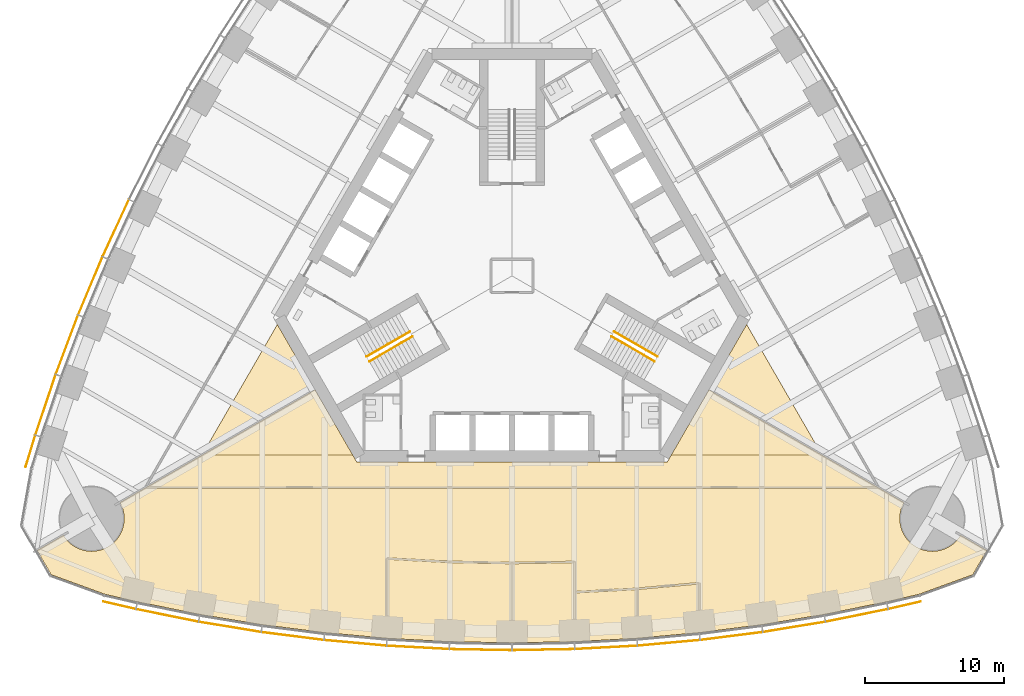
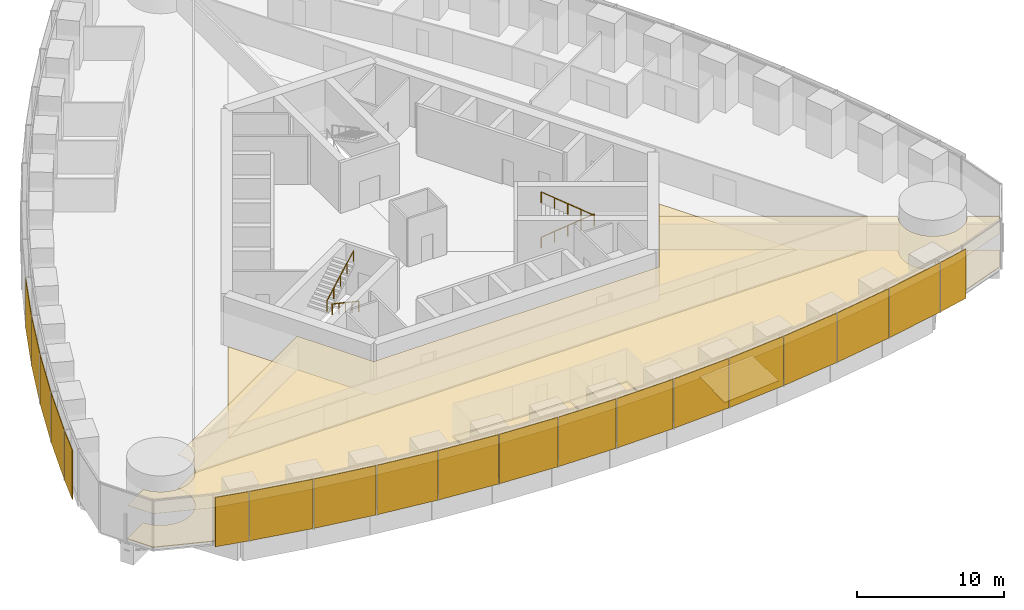
# One storey, part 14 of 18: 19 shading devices, 11 coverings, 4 railings.
"""IFC4 building model written with IfcOpenShell, lengths in metres."""

from ifc_helpers import new_model, si_unit, direction, frame, origin, origin_2d, place, context, subcontext, project, spatial, polyline, rectangle, circle, outline, extrude, material, layer, layer_set, type_object, element, save


model = new_model("IFC4")

# Units and contexts
model_context = context("Model", 3, precision=1e-05, world=origin(), true_north=direction((0.0, 1.0)))
body_context = subcontext(model_context, "Body", "Model", "MODEL_VIEW")
ifc_project = project(units=[si_unit("LENGTHUNIT", "METRE"), si_unit("AREAUNIT", "SQUARE_METRE"), si_unit("VOLUMEUNIT", "CUBIC_METRE"), si_unit("PLANEANGLEUNIT", "RADIAN"), si_unit("MASSUNIT", "GRAM", prefix="KILO")], contexts=[model_context])

# Site, building, storey
site_placement = place(None, origin())
site = spatial("IfcSite", under=ifc_project, at=site_placement, CompositionType="ELEMENT")
building_placement = place(site_placement, origin())
building = spatial("IfcBuilding", under=site, at=building_placement, Name="Trefoil Bronze Tower", CompositionType="ELEMENT")
storey_placement = place(building_placement, frame((0.0, 0.0, 115.699951171875)))
storey = spatial("IfcBuildingStorey", under=building, at=storey_placement, Name="L26", CompositionType="ELEMENT", Elevation=115.699951171875)

# Shading devices
ifc_material_1 = material(Name="Perforated bronze sheet", Category="bronze")
ifc_layer_1 = layer(ifc_material_1, 0.0400390625)
ifc_layer_set_1 = layer_set([ifc_layer_1], Name="Bronze solar screen panel")
shading_device_type = type_object("IfcShadingDeviceType", Name="Bronze solar screen panel", PredefinedType="SHUTTER", material=ifc_layer_set_1)
shading_device_1_placement = place(storey_placement, frame((-28.30078125, -23.748779296875, 0.050048828125), z_axis=(0.0, 0.0, 1.0), x_axis=(0.97420444715, -0.225667222151, 0.0)))
element("IfcShadingDevice", 1, at=shading_device_1_placement, inside=storey, type_object=shading_device_type, Name="Solar screen CW-A L26 F1 bay 1", PredefinedType="SHUTTER", context=body_context, shape_type="SweptSolid", body=[
    extrude(rectangle(XDim=2.39013671875, YDim=0.0400390625, at=origin_2d()), origin(), (0.0, 0.0, 1.0), 4.10009765625),
])
shading_device_2_placement = place(storey_placement, frame((-24.85693359375, -24.480224609375, 0.050048828125), z_axis=(0.0, 0.0, 1.0), x_axis=(0.980155155547, -0.198231861853, 0.0)))
element("IfcShadingDevice", 2, at=shading_device_2_placement, inside=storey, type_object=shading_device_type, Name="Solar screen CW-A L26 F1 bay 2", PredefinedType="SHUTTER", context=body_context, shape_type="SweptSolid", body=[
    extrude(rectangle(XDim=4.56103515625, YDim=0.0400390625, at=origin_2d()), origin(), (0.0, 0.0, 1.0), 4.10009765625),
])
shading_device_3_placement = place(storey_placement, frame((-20.337646484375, -25.30859375, 0.050048828125), z_axis=(0.0, 0.0, 1.0), x_axis=(0.986759655731, -0.162189339418, 0.0)))
element("IfcShadingDevice", 3, at=shading_device_3_placement, inside=storey, type_object=shading_device_type, Name="Solar screen CW-A L26 F1 bay 3", PredefinedType="SHUTTER", context=body_context, shape_type="SweptSolid", body=[
    extrude(rectangle(XDim=4.5302734375, YDim=0.0400390625, at=origin_2d()), origin(), (0.0, 0.0, 1.0), 4.10009765625),
])
shading_device_4_placement = place(storey_placement, frame((-15.818115234375, -25.96728515625, 0.050048828125), z_axis=(0.0, 0.0, 1.0), x_axis=(0.992011554286, -0.126147041833, 0.0)))
element("IfcShadingDevice", 4, at=shading_device_4_placement, inside=storey, type_object=shading_device_type, Name="Solar screen CW-A L26 F1 bay 4", PredefinedType="SHUTTER", context=body_context, shape_type="SweptSolid", body=[
    extrude(rectangle(XDim=4.50634765625, YDim=0.0400390625, at=origin_2d()), origin(), (0.0, 0.0, 1.0), 4.10009765625),
])
shading_device_5_placement = place(storey_placement, frame((-11.298583984375, -26.459228515625, 0.050048828125), z_axis=(0.0, 0.0, 1.0), x_axis=(0.995932279146, -0.090104913044, 0.0)))
element("IfcShadingDevice", 5, at=shading_device_5_placement, inside=storey, type_object=shading_device_type, Name="Solar screen CW-A L26 F1 bay 5", PredefinedType="SHUTTER", context=body_context, shape_type="SweptSolid", body=[
    extrude(rectangle(XDim=4.48828125, YDim=0.0400390625, at=origin_2d()), origin(), (0.0, 0.0, 1.0), 4.10009765625),
])
shading_device_6_placement = place(storey_placement, frame((-6.779296875, -26.785888671875, 0.050048828125), z_axis=(0.0, 0.0, 1.0), x_axis=(0.998537531923, -0.054062901701, 0.0)))
element("IfcShadingDevice", 6, at=shading_device_6_placement, inside=storey, type_object=shading_device_type, Name="Solar screen CW-A L26 F1 bay 6", PredefinedType="SHUTTER", context=body_context, shape_type="SweptSolid", body=[
    extrude(rectangle(XDim=4.4765625, YDim=0.0400390625, at=origin_2d()), origin(), (0.0, 0.0, 1.0), 4.10009765625),
])
for number, where, z_axis, x_axis, name in (
    (7, (-2.259765625, -26.948974609375, 0.050048828125), (0.0, 0.0, 1.0), (0.999837609322, -0.018020959612, 0.0), "Solar screen CW-A L26 F1 bay 7"),
    (8, (2.259765625, -26.948974609375, 0.050048828125), (0.0, 0.0, 1.0), (0.999837609322, 0.018020959612, 0.0), "Solar screen CW-A L26 F1 bay 8"),
):
    element("IfcShadingDevice", number, at=place(storey_placement, frame(where, z_axis=z_axis, x_axis=x_axis)), inside=storey, type_object=shading_device_type, Name=name, PredefinedType="SHUTTER", context=body_context, shape_type="SweptSolid", body=[
        extrude(rectangle(XDim=4.470703125, YDim=0.0400390625, at=origin_2d()), origin(), (0.0, 0.0, 1.0), 4.10009765625),
    ])
shading_device_7_placement = place(storey_placement, frame((6.779296875, -26.785888671875, 0.050048828125), z_axis=(0.0, 0.0, 1.0), x_axis=(0.998537531923, 0.054062901701, 0.0)))
element("IfcShadingDevice", 9, at=shading_device_7_placement, inside=storey, type_object=shading_device_type, Name="Solar screen CW-A L26 F1 bay 9", PredefinedType="SHUTTER", context=body_context, shape_type="SweptSolid", body=[
    extrude(rectangle(XDim=4.4765625, YDim=0.0400390625, at=origin_2d()), origin(), (0.0, 0.0, 1.0), 4.10009765625),
])
shading_device_8_placement = place(storey_placement, frame((11.298583984375, -26.459228515625, 0.050048828125), z_axis=(0.0, 0.0, 1.0), x_axis=(0.995932279146, 0.090104913044, 0.0)))
element("IfcShadingDevice", 10, at=shading_device_8_placement, inside=storey, type_object=shading_device_type, Name="Solar screen CW-A L26 F1 bay 10", PredefinedType="SHUTTER", context=body_context, shape_type="SweptSolid", body=[
    extrude(rectangle(XDim=4.48828125, YDim=0.0400390625, at=origin_2d()), origin(), (0.0, 0.0, 1.0), 4.10009765625),
])
shading_device_9_placement = place(storey_placement, frame((15.818115234375, -25.96728515625, 0.050048828125), z_axis=(0.0, 0.0, 1.0), x_axis=(0.992011554286, 0.126147041833, 0.0)))
element("IfcShadingDevice", 11, at=shading_device_9_placement, inside=storey, type_object=shading_device_type, Name="Solar screen CW-A L26 F1 bay 11", PredefinedType="SHUTTER", context=body_context, shape_type="SweptSolid", body=[
    extrude(rectangle(XDim=4.50634765625, YDim=0.0400390625, at=origin_2d()), origin(), (0.0, 0.0, 1.0), 4.10009765625),
])
shading_device_10_placement = place(storey_placement, frame((20.337646484375, -25.30859375, 0.050048828125), z_axis=(0.0, 0.0, 1.0), x_axis=(0.986759655731, 0.162189339418, 0.0)))
element("IfcShadingDevice", 12, at=shading_device_10_placement, inside=storey, type_object=shading_device_type, Name="Solar screen CW-A L26 F1 bay 12", PredefinedType="SHUTTER", context=body_context, shape_type="SweptSolid", body=[
    extrude(rectangle(XDim=4.5302734375, YDim=0.0400390625, at=origin_2d()), origin(), (0.0, 0.0, 1.0), 4.10009765625),
])
shading_device_11_placement = place(storey_placement, frame((24.85693359375, -24.480224609375, 0.050048828125), z_axis=(0.0, 0.0, 1.0), x_axis=(0.980155155547, 0.198231861853, 0.0)))
element("IfcShadingDevice", 13, at=shading_device_11_placement, inside=storey, type_object=shading_device_type, Name="Solar screen CW-A L26 F1 bay 13", PredefinedType="SHUTTER", context=body_context, shape_type="SweptSolid", body=[
    extrude(rectangle(XDim=4.56103515625, YDim=0.0400390625, at=origin_2d()), origin(), (0.0, 0.0, 1.0), 4.10009765625),
])
shading_device_12_placement = place(storey_placement, frame((28.30078125, -23.748779296875, 0.050048828125), z_axis=(0.0, 0.0, 1.0), x_axis=(0.97420444715, 0.225667222151, 0.0)))
element("IfcShadingDevice", 14, at=shading_device_12_placement, inside=storey, type_object=shading_device_type, Name="Solar screen CW-A L26 F1 bay 14", PredefinedType="SHUTTER", context=body_context, shape_type="SweptSolid", body=[
    extrude(rectangle(XDim=2.39013671875, YDim=0.0400390625, at=origin_2d()), origin(), (0.0, 0.0, 1.0), 4.10009765625),
])
shading_device_13_placement = place(storey_placement, frame((-28.563720703125, 3.444580078125, 0.050048828125), z_axis=(0.0, 0.0, 1.0), x_axis=(-0.419932995871, -0.907555110712, 0.0)))
element("IfcShadingDevice", 15, at=shading_device_13_placement, inside=storey, type_object=shading_device_type, Name="Solar screen CW-A L26 F3 bay 10", PredefinedType="SHUTTER", context=body_context, shape_type="SweptSolid", body=[
    extrude(rectangle(XDim=4.48828125, YDim=0.0400390625, at=origin_2d()), origin(), (0.0, 0.0, 1.0), 4.10009765625),
])
shading_device_14_placement = place(storey_placement, frame((-30.3974609375, -0.715087890625, 0.050048828125), z_axis=(0.0, 0.0, 1.0), x_axis=(-0.386759234303, -0.922180727776, 0.0)))
element("IfcShadingDevice", 16, at=shading_device_14_placement, inside=storey, type_object=shading_device_type, Name="Solar screen CW-A L26 F3 bay 11", PredefinedType="SHUTTER", context=body_context, shape_type="SweptSolid", body=[
    extrude(rectangle(XDim=4.50634765625, YDim=0.0400390625, at=origin_2d()), origin(), (0.0, 0.0, 1.0), 4.10009765625),
])
shading_device_15_placement = place(storey_placement, frame((-32.086669921875, -4.95849609375, 0.050048828125), z_axis=(0.0, 0.0, 1.0), x_axis=(-0.352919739707, -0.935653599002, 0.0)))
element("IfcShadingDevice", 17, at=shading_device_15_placement, inside=storey, type_object=shading_device_type, Name="Solar screen CW-A L26 F3 bay 12", PredefinedType="SHUTTER", context=body_context, shape_type="SweptSolid", body=[
    extrude(rectangle(XDim=4.5302734375, YDim=0.0400390625, at=origin_2d()), origin(), (0.0, 0.0, 1.0), 4.10009765625),
])
shading_device_16_placement = place(storey_placement, frame((-33.62890625, -9.286865234375, 0.050048828125), z_axis=(0.0, 0.0, 1.0), x_axis=(-0.318403749569, -0.947955195281, 0.0)))
element("IfcShadingDevice", 18, at=shading_device_16_placement, inside=storey, type_object=shading_device_type, Name="Solar screen CW-A L26 F3 bay 13", PredefinedType="SHUTTER", context=body_context, shape_type="SweptSolid", body=[
    extrude(rectangle(XDim=4.56103515625, YDim=0.0400390625, at=origin_2d()), origin(), (0.0, 0.0, 1.0), 4.10009765625),
])
shading_device_17_placement = place(storey_placement, frame((-34.717529296875, -12.634765625, 0.050048828125), z_axis=(0.0, 0.0, 1.0), x_axis=(-0.291668676391, -0.956519410787, 0.0)))
element("IfcShadingDevice", 19, at=shading_device_17_placement, inside=storey, type_object=shading_device_type, Name="Solar screen CW-A L26 F3 bay 14", PredefinedType="SHUTTER", context=body_context, shape_type="SweptSolid", body=[
    extrude(rectangle(XDim=2.39013671875, YDim=0.0400390625, at=origin_2d()), origin(), (0.0, 0.0, 1.0), 4.10009765625),
])

# Railings
ifc_material_2 = material(Name="Steel handrail", Category="steel")
railing_type = type_object("IfcRailingType", Name="Handrail 900", PredefinedType="HANDRAIL", material=ifc_material_2)
railing_1_placement = place(storey_placement, frame((7.365966796875, -4.021728515625, 0.16162109375)))
element("IfcRailing", 20, at=railing_1_placement, inside=storey, type_object=railing_type, Name="Handrail ST1 flight 1 L26", PredefinedType="HANDRAIL", context=body_context, shape_type="SweptSolid", body=[
    extrude(circle(Radius=0.02392578125, at=origin_2d()), frame((0.0, 0.0, 0.8759765625), z_axis=(0.76250339821, -0.440245697338, 0.474101564745), x_axis=(0.500012057535, 0.866018442252, 0.0)), (0.0, 0.0, 1.0), 4.088623046875),
    extrude(circle(Radius=0.02099609375, at=origin_2d()), origin(), (0.0, 0.0, 1.0), 0.851806640625),
    extrude(circle(Radius=0.02099609375, at=origin_2d()), frame((0.779296875, -0.449951171875, 0.484619140625)), (0.0, 0.0, 1.0), 0.851806640625),
    extrude(circle(Radius=0.02099609375, at=origin_2d()), frame((1.558837890625, -0.89990234375, 0.96923828125)), (0.0, 0.0, 1.0), 0.851806640625),
    extrude(circle(Radius=0.02099609375, at=origin_2d()), frame((2.33837890625, -1.35009765625, 1.453857421875)), (0.0, 0.0, 1.0), 0.851806640625),
    extrude(circle(Radius=0.02099609375, at=origin_2d()), frame((3.11767578125, -1.800048828125, 1.9384765625)), (0.0, 0.0, 1.0), 0.851806640625),
])
railing_2_placement = place(storey_placement, frame((10.28369140625, -6.168212890625, 2.261474609375)))
element("IfcRailing", 21, at=railing_2_placement, inside=storey, type_object=railing_type, Name="Handrail ST1 flight 2 L26", PredefinedType="HANDRAIL", context=body_context, shape_type="SweptSolid", body=[
    extrude(circle(Radius=0.02392578125, at=origin_2d()), frame((0.0, 0.0, 0.8759765625), z_axis=(-0.76250339821, 0.440245697338, 0.474101564745), x_axis=(-0.500012057535, -0.866018442252, 0.0)), (0.0, 0.0, 1.0), 4.088623046875),
    extrude(circle(Radius=0.02099609375, at=origin_2d()), origin(), (0.0, 0.0, 1.0), 0.851806640625),
    extrude(circle(Radius=0.02099609375, at=origin_2d()), frame((-0.779296875, 0.449951171875, 0.484619140625)), (0.0, 0.0, 1.0), 0.851806640625),
    extrude(circle(Radius=0.02099609375, at=origin_2d()), frame((-1.558837890625, 0.89990234375, 0.96923828125)), (0.0, 0.0, 1.0), 0.851806640625),
    extrude(circle(Radius=0.02099609375, at=origin_2d()), frame((-2.33837890625, 1.35009765625, 1.453857421875)), (0.0, 0.0, 1.0), 0.851806640625),
    extrude(circle(Radius=0.02099609375, at=origin_2d()), frame((-3.11767578125, 1.800048828125, 1.9384765625)), (0.0, 0.0, 1.0), 0.851806640625),
])
railing_3_placement = place(storey_placement, frame((-7.166015625, -4.3681640625, 0.16162109375)))
element("IfcRailing", 22, at=railing_3_placement, inside=storey, type_object=railing_type, Name="Handrail ST3 flight 1 L26", PredefinedType="HANDRAIL", context=body_context, shape_type="SweptSolid", body=[
    extrude(circle(Radius=0.02392578125, at=origin_2d()), frame((0.0, 0.0, 0.8759765625), z_axis=(-0.76250339821, -0.440245697338, 0.474101564745), x_axis=(0.500012057535, -0.866018442252, 0.0)), (0.0, 0.0, 1.0), 4.088623046875),
    extrude(circle(Radius=0.02099609375, at=origin_2d()), origin(), (0.0, 0.0, 1.0), 0.851806640625),
    extrude(circle(Radius=0.02099609375, at=origin_2d()), frame((-0.779296875, -0.449951171875, 0.484619140625)), (0.0, 0.0, 1.0), 0.851806640625),
    extrude(circle(Radius=0.02099609375, at=origin_2d()), frame((-1.558837890625, -0.89990234375, 0.96923828125)), (0.0, 0.0, 1.0), 0.851806640625),
    extrude(circle(Radius=0.02099609375, at=origin_2d()), frame((-2.33837890625, -1.35009765625, 1.453857421875)), (0.0, 0.0, 1.0), 0.851806640625),
    extrude(circle(Radius=0.02099609375, at=origin_2d()), frame((-3.11767578125, -1.800048828125, 1.9384765625)), (0.0, 0.0, 1.0), 0.851806640625),
])
railing_4_placement = place(storey_placement, frame((-10.483642578125, -5.82177734375, 2.261474609375)))
element("IfcRailing", 23, at=railing_4_placement, inside=storey, type_object=railing_type, Name="Handrail ST3 flight 2 L26", PredefinedType="HANDRAIL", context=body_context, shape_type="SweptSolid", body=[
    extrude(circle(Radius=0.02392578125, at=origin_2d()), frame((0.0, 0.0, 0.8759765625), z_axis=(0.76250339821, 0.440245697338, 0.474101564745), x_axis=(-0.500012057535, 0.866018442252, 0.0)), (0.0, 0.0, 1.0), 4.088623046875),
    extrude(circle(Radius=0.02099609375, at=origin_2d()), origin(), (0.0, 0.0, 1.0), 0.851806640625),
    extrude(circle(Radius=0.02099609375, at=origin_2d()), frame((0.779296875, 0.449951171875, 0.484619140625)), (0.0, 0.0, 1.0), 0.851806640625),
    extrude(circle(Radius=0.02099609375, at=origin_2d()), frame((1.558837890625, 0.89990234375, 0.96923828125)), (0.0, 0.0, 1.0), 0.851806640625),
    extrude(circle(Radius=0.02099609375, at=origin_2d()), frame((2.33837890625, 1.35009765625, 1.453857421875)), (0.0, 0.0, 1.0), 0.851806640625),
    extrude(circle(Radius=0.02099609375, at=origin_2d()), frame((3.11767578125, 1.800048828125, 1.9384765625)), (0.0, 0.0, 1.0), 0.851806640625),
])

# Coverings
ifc_material_3 = material(Name="Acoustic ceiling panels", Category="mineral fibre")
ifc_layer_2 = layer(ifc_material_3, 0.02001953125)
ifc_layer_set_2 = layer_set([ifc_layer_2], Name="Office ceiling 20")
covering_type_1 = type_object("IfcCoveringType", Name="Office ceiling 20", PredefinedType="CEILING", material=ifc_layer_set_2)
covering_1_placement = place(storey_placement, frame((0.0, 0.0, 2.900146484375)))
element("IfcCovering", 24, at=covering_1_placement, inside=storey, type_object=covering_type_1, Name="Ceiling L26 Trading floor F1", PredefinedType="CEILING", context=body_context, shape_type="SweptSolid", body=[
    extrude(outline(polyline([(-32.264892578125, -18.8056640625), (-32.198486328125, -18.89990234375), (-32.12744140625, -18.99072265625), (-32.052001953125, -19.078125), (-31.97265625, -19.16162109375), (-31.88916015625, -19.2412109375), (-31.8017578125, -19.316650390625), (-31.710693359375, -19.387451171875), (-31.616455078125, -19.4541015625), (-31.51904296875, -19.515625), (-31.418701171875, -19.572509765625), (-31.315673828125, -19.62451171875), (-31.210205078125, -19.671142578125), (-31.1025390625, -19.712646484375), (-30.9931640625, -19.748779296875), (-30.8818359375, -19.779541015625), (-30.769287109375, -19.8046875), (-30.65576171875, -19.82470703125), (-30.541259765625, -19.838623046875), (-30.42626953125, -19.84716796875), (-30.310791015625, -19.85009765625), (-30.195556640625, -19.84716796875), (-30.08056640625, -19.838623046875), (-29.966064453125, -19.82470703125), (-29.852294921875, -19.8046875), (-29.739990234375, -19.779541015625), (-29.628662109375, -19.748779296875), (-29.519287109375, -19.712646484375), (-29.41162109375, -19.671142578125), (-29.30615234375, -19.62451171875), (-29.203125, -19.572509765625), (-29.102783203125, -19.515625), (-29.00537109375, -19.4541015625), (-28.910888671875, -19.387451171875), (-28.820068359375, -19.316650390625), (-28.732666015625, -19.2412109375), (-28.649169921875, -19.16162109375), (-28.569580078125, -19.078125), (-28.494384765625, -18.99072265625), (-28.42333984375, -18.89990234375), (-28.35693359375, -18.8056640625), (-28.295166015625, -18.7080078125), (-28.23828125, -18.60791015625), (-28.1865234375, -18.5048828125), (-28.139892578125, -18.3994140625), (-28.098388671875, -18.291748046875), (-28.06201171875, -18.18212890625), (-28.03125, -18.071044921875), (-28.006103515625, -17.95849609375), (-27.986328125, -17.8447265625), (-27.97216796875, -17.730224609375), (-27.963623046875, -17.615234375), (-27.9609375, -17.5), (-27.963623046875, -17.384765625), (-27.97216796875, -17.269775390625), (-27.986328125, -17.1552734375), (-28.006103515625, -17.04150390625), (-28.03125, -16.928955078125), (-28.06201171875, -16.81787109375), (-28.098388671875, -16.708251953125), (-28.139892578125, -16.6005859375), (-28.1865234375, -16.4951171875), (-28.23828125, -16.39208984375), (-28.270263671875, -16.3359375), (-14.19970703125, -8.205322265625), (-11.20068359375, -13.39990234375), (11.20068359375, -13.39990234375), (14.19970703125, -8.205322265625), (28.270263671875, -16.3359375), (28.23828125, -16.39208984375), (28.1865234375, -16.4951171875), (28.139892578125, -16.6005859375), (28.098388671875, -16.708251953125), (28.06201171875, -16.81787109375), (28.03125, -16.928955078125), (28.006103515625, -17.04150390625), (27.986328125, -17.1552734375), (27.97216796875, -17.269775390625), (27.963623046875, -17.384765625), (27.9609375, -17.5), (27.963623046875, -17.615234375), (27.97216796875, -17.730224609375), (27.986328125, -17.8447265625), (28.006103515625, -17.95849609375), (28.03125, -18.071044921875), (28.06201171875, -18.18212890625), (28.098388671875, -18.291748046875), (28.139892578125, -18.3994140625), (28.1865234375, -18.5048828125), (28.23828125, -18.60791015625), (28.295166015625, -18.7080078125), (28.35693359375, -18.8056640625), (28.42333984375, -18.89990234375), (28.494384765625, -18.99072265625), (28.569580078125, -19.078125), (28.649169921875, -19.16162109375), (28.732666015625, -19.2412109375), (28.820068359375, -19.316650390625), (28.910888671875, -19.387451171875), (29.00537109375, -19.4541015625), (29.102783203125, -19.515625), (29.203125, -19.572509765625), (29.30615234375, -19.62451171875), (29.41162109375, -19.671142578125), (29.519287109375, -19.712646484375), (29.628662109375, -19.748779296875), (29.739990234375, -19.779541015625), (29.852294921875, -19.8046875), (29.966064453125, -19.82470703125), (30.08056640625, -19.838623046875), (30.195556640625, -19.84716796875), (30.310791015625, -19.85009765625), (30.42626953125, -19.84716796875), (30.541259765625, -19.838623046875), (30.65576171875, -19.82470703125), (30.769287109375, -19.8046875), (30.8818359375, -19.779541015625), (30.9931640625, -19.748779296875), (31.1025390625, -19.712646484375), (31.210205078125, -19.671142578125), (31.315673828125, -19.62451171875), (31.418701171875, -19.572509765625), (31.51904296875, -19.515625), (31.616455078125, -19.4541015625), (31.710693359375, -19.387451171875), (31.8017578125, -19.316650390625), (31.88916015625, -19.2412109375), (31.97265625, -19.16162109375), (32.052001953125, -19.078125), (32.12744140625, -18.99072265625), (32.198486328125, -18.89990234375), (32.264892578125, -18.8056640625), (32.338623046875, -18.68701171875), (34.233154296875, -19.781494140625), (33.21435546875, -21.5458984375), (29.357666015625, -22.94970703125), (27.0, -23.495849609375), (22.5, -24.406005859375), (18.0, -25.1455078125), (13.5, -25.7177734375), (9.0, -26.125), (4.5, -26.36865234375), (0.0, -26.44970703125), (-4.5, -26.36865234375), (-9.0, -26.125), (-13.5, -25.7177734375), (-18.0, -25.1455078125), (-22.5, -24.406005859375), (-27.0, -23.495849609375), (-29.357666015625, -22.94970703125), (-33.21435546875, -21.5458984375), (-34.233154296875, -19.781494140625), (-32.338623046875, -18.68701171875), (-32.264892578125, -18.8056640625)])), origin(), (0.0, 0.0, 1.0), 0.02001953125),
])
ifc_material_4 = material(Name="Raised access floor panels", Category="steel")
ifc_layer_3 = layer(ifc_material_4, 0.050048828125)
ifc_layer_set_3 = layer_set([ifc_layer_3], Name="Raised access floor 150")
covering_type_2 = type_object("IfcCoveringType", Name="Raised access floor 150", PredefinedType="FLOORING", material=ifc_layer_set_3)
covering_2_placement = place(storey_placement, frame((0.0, 0.0, 0.10009765625)))
element("IfcCovering", 25, at=covering_2_placement, inside=storey, type_object=covering_type_2, Name="Raised floor L26 Office F1", PredefinedType="FLOORING", context=body_context, shape_type="SweptSolid", body=[
    extrude(outline(polyline([(-4.5, -26.36865234375), (-9.0, -26.125), (-9.0, -24.49072265625), (-8.93994140625, -24.49072265625), (-8.93994140625, -20.438232421875), (-4.503173828125, -20.678466796875), (-4.5, -20.61865234375), (-4.501220703125, -20.6787109375), (-0.06005859375, -20.758544921875), (-0.06005859375, -24.819580078125), (0.0, -24.819580078125), (0.0, -26.44970703125), (-4.5, -26.36865234375)])), origin(), (0.0, 0.0, 1.0), 0.050048828125),
])
covering_3_placement = place(storey_placement, frame((0.0, 0.0, 0.10009765625)))
element("IfcCovering", 26, at=covering_3_placement, inside=storey, type_object=covering_type_2, Name="Raised floor L26 Meeting room F1", PredefinedType="FLOORING", context=body_context, shape_type="SweptSolid", body=[
    extrude(outline(polyline([(4.5, -26.36865234375), (0.0, -26.44970703125), (0.0, -24.819580078125), (0.06005859375, -24.819580078125), (0.06005859375, -20.758544921875), (4.43994140625, -20.6796875), (4.43994140625, -24.737548828125), (4.5, -24.737548828125), (4.5, -26.36865234375)])), origin(), (0.0, 0.0, 1.0), 0.050048828125),
])
covering_4_placement = place(storey_placement, frame((0.0, 0.0, 0.10009765625)))
element("IfcCovering", 27, at=covering_4_placement, inside=storey, type_object=covering_type_2, Name="Raised floor L26 Comms room F1", PredefinedType="FLOORING", context=body_context, shape_type="SweptSolid", body=[
    extrude(outline(polyline([(9.0, -26.125), (4.5, -26.36865234375), (4.5, -24.737548828125), (4.56005859375, -24.737548828125), (4.56005859375, -22.8603515625), (8.93994140625, -22.623291015625), (8.93994140625, -24.49072265625), (9.0, -24.49072265625), (9.0, -26.125)])), origin(), (0.0, 0.0, 1.0), 0.050048828125),
])
covering_5_placement = place(storey_placement, frame((0.0, 0.0, 0.10009765625)))
element("IfcCovering", 28, at=covering_5_placement, inside=storey, type_object=covering_type_2, Name="Raised floor L26 Comms room F1", PredefinedType="FLOORING", context=body_context, shape_type="SweptSolid", body=[
    extrude(outline(polyline([(13.5, -25.7177734375), (9.0, -26.125), (9.0, -24.49072265625), (9.06005859375, -24.49072265625), (9.06005859375, -22.61474609375), (13.43994140625, -22.218505859375), (13.43994140625, -24.078125), (13.5, -24.078125), (13.5, -25.7177734375)])), origin(), (0.0, 0.0, 1.0), 0.050048828125),
])
covering_6_placement = place(storey_placement, frame((0.0, 0.0, 0.10009765625)))
element("IfcCovering", 29, at=covering_6_placement, inside=storey, type_object=covering_type_2, Name="Raised floor L26 Corridor F1", PredefinedType="FLOORING", context=body_context, shape_type="SweptSolid", body=[
    extrude(outline(polyline([(-26.304443359375, -15.199951171875), (-22.32421875, -12.89990234375), (-11.4892578125, -12.89990234375), (-11.20068359375, -13.39990234375), (11.20068359375, -13.39990234375), (11.4892578125, -12.89990234375), (22.32421875, -12.89990234375), (26.304443359375, -15.199951171875), (-26.304443359375, -15.199951171875)])), origin(), (0.0, 0.0, 1.0), 0.050048828125),
])
covering_7_placement = place(storey_placement, frame((0.0, 0.0, 0.10009765625)))
element("IfcCovering", 30, at=covering_7_placement, inside=storey, type_object=covering_type_2, Name="Raised floor L26 Trading floor F1", PredefinedType="FLOORING", context=body_context, shape_type="SweptSolid", body=[
    extrude(outline(polyline([(-28.270263671875, -16.3359375), (-26.398193359375, -15.254150390625), (-26.398193359375, -15.320068359375), (26.398193359375, -15.320068359375), (26.398193359375, -15.254150390625), (28.270263671875, -16.3359375), (28.23828125, -16.39208984375), (28.1865234375, -16.4951171875), (28.139892578125, -16.6005859375), (28.098388671875, -16.708251953125), (28.06201171875, -16.81787109375), (28.03125, -16.928955078125), (28.006103515625, -17.04150390625), (27.986328125, -17.1552734375), (27.97216796875, -17.269775390625), (27.963623046875, -17.384765625), (27.9609375, -17.5), (27.963623046875, -17.615234375), (27.97216796875, -17.730224609375), (27.986328125, -17.8447265625), (28.006103515625, -17.95849609375), (28.03125, -18.071044921875), (28.06201171875, -18.18212890625), (28.098388671875, -18.291748046875), (28.139892578125, -18.3994140625), (28.1865234375, -18.5048828125), (28.23828125, -18.60791015625), (28.295166015625, -18.7080078125), (28.35693359375, -18.8056640625), (28.42333984375, -18.89990234375), (28.494384765625, -18.99072265625), (28.569580078125, -19.078125), (28.649169921875, -19.16162109375), (28.732666015625, -19.2412109375), (28.820068359375, -19.316650390625), (28.910888671875, -19.387451171875), (29.00537109375, -19.4541015625), (29.102783203125, -19.515625), (29.203125, -19.572509765625), (29.30615234375, -19.62451171875), (29.41162109375, -19.671142578125), (29.519287109375, -19.712646484375), (29.628662109375, -19.748779296875), (29.739990234375, -19.779541015625), (29.852294921875, -19.8046875), (29.966064453125, -19.82470703125), (30.08056640625, -19.838623046875), (30.195556640625, -19.84716796875), (30.310791015625, -19.85009765625), (30.42626953125, -19.84716796875), (30.541259765625, -19.838623046875), (30.65576171875, -19.82470703125), (30.769287109375, -19.8046875), (30.8818359375, -19.779541015625), (30.9931640625, -19.748779296875), (31.1025390625, -19.712646484375), (31.210205078125, -19.671142578125), (31.315673828125, -19.62451171875), (31.418701171875, -19.572509765625), (31.51904296875, -19.515625), (31.616455078125, -19.4541015625), (31.710693359375, -19.387451171875), (31.8017578125, -19.316650390625), (31.88916015625, -19.2412109375), (31.97265625, -19.16162109375), (32.052001953125, -19.078125), (32.12744140625, -18.99072265625), (32.198486328125, -18.89990234375), (32.264892578125, -18.8056640625), (32.338623046875, -18.68701171875), (34.233154296875, -19.781494140625), (33.21435546875, -21.5458984375), (29.357666015625, -22.94970703125), (27.0, -23.495849609375), (22.5, -24.406005859375), (18.0, -25.1455078125), (13.5, -25.7177734375), (13.5, -24.078125), (13.56005859375, -24.078125), (13.56005859375, -22.15283203125), (13.5, -22.15283203125), (13.49462890625, -22.093017578125), (8.99560546875, -22.5), (4.56005859375, -22.740234375), (4.56005859375, -20.61865234375), (4.5, -20.61865234375), (4.498779296875, -20.55859375), (0.0, -20.6396484375), (-3.322998046875, -20.579833984375), (-5.672607421875, -20.4951171875), (-8.996826171875, -20.31494140625), (-9.0, -20.375), (-9.06005859375, -20.375), (-9.06005859375, -24.49072265625), (-9.0, -24.49072265625), (-9.0, -26.125), (-13.5, -25.7177734375), (-18.0, -25.1455078125), (-22.5, -24.406005859375), (-27.0, -23.495849609375), (-29.357666015625, -22.94970703125), (-33.21435546875, -21.5458984375), (-34.233154296875, -19.781494140625), (-32.338623046875, -18.68701171875), (-32.264892578125, -18.8056640625), (-32.198486328125, -18.89990234375), (-32.12744140625, -18.99072265625), (-32.052001953125, -19.078125), (-31.97265625, -19.16162109375), (-31.88916015625, -19.2412109375), (-31.8017578125, -19.316650390625), (-31.710693359375, -19.387451171875), (-31.616455078125, -19.4541015625), (-31.51904296875, -19.515625), (-31.418701171875, -19.572509765625), (-31.315673828125, -19.62451171875), (-31.210205078125, -19.671142578125), (-31.1025390625, -19.712646484375), (-30.9931640625, -19.748779296875), (-30.8818359375, -19.779541015625), (-30.769287109375, -19.8046875), (-30.65576171875, -19.82470703125), (-30.541259765625, -19.838623046875), (-30.42626953125, -19.84716796875), (-30.310791015625, -19.85009765625), (-30.195556640625, -19.84716796875), (-30.08056640625, -19.838623046875), (-29.966064453125, -19.82470703125), (-29.852294921875, -19.8046875), (-29.739990234375, -19.779541015625), (-29.628662109375, -19.748779296875), (-29.519287109375, -19.712646484375), (-29.41162109375, -19.671142578125), (-29.30615234375, -19.62451171875), (-29.203125, -19.572509765625), (-29.102783203125, -19.515625), (-29.00537109375, -19.4541015625), (-28.910888671875, -19.387451171875), (-28.820068359375, -19.316650390625), (-28.732666015625, -19.2412109375), (-28.649169921875, -19.16162109375), (-28.569580078125, -19.078125), (-28.494384765625, -18.99072265625), (-28.42333984375, -18.89990234375), (-28.35693359375, -18.8056640625), (-28.295166015625, -18.7080078125), (-28.23828125, -18.60791015625), (-28.1865234375, -18.5048828125), (-28.139892578125, -18.3994140625), (-28.098388671875, -18.291748046875), (-28.06201171875, -18.18212890625), (-28.03125, -18.071044921875), (-28.006103515625, -17.95849609375), (-27.986328125, -17.8447265625), (-27.97216796875, -17.730224609375), (-27.963623046875, -17.615234375), (-27.9609375, -17.5), (-27.963623046875, -17.384765625), (-27.97216796875, -17.269775390625), (-27.986328125, -17.1552734375), (-28.006103515625, -17.04150390625), (-28.03125, -16.928955078125), (-28.06201171875, -16.81787109375), (-28.098388671875, -16.708251953125), (-28.139892578125, -16.6005859375), (-28.1865234375, -16.4951171875), (-28.23828125, -16.39208984375), (-28.270263671875, -16.3359375)])), origin(), (0.0, 0.0, 1.0), 0.050048828125),
])
covering_8_placement = place(storey_placement, frame((0.0, 0.0, 0.10009765625)))
element("IfcCovering", 31, at=covering_8_placement, inside=storey, type_object=covering_type_2, Name="Raised floor L26 Trading floor F1", PredefinedType="FLOORING", context=body_context, shape_type="SweptSolid", body=[
    extrude(outline(polyline([(11.4892578125, -12.89990234375), (14.19970703125, -8.205322265625), (22.32421875, -12.89990234375), (11.4892578125, -12.89990234375)])), origin(), (0.0, 0.0, 1.0), 0.050048828125),
])
covering_9_placement = place(storey_placement, frame((0.0, 0.0, 0.10009765625)))
element("IfcCovering", 32, at=covering_9_placement, inside=storey, type_object=covering_type_2, Name="Raised floor L26 Trading floor F1", PredefinedType="FLOORING", context=body_context, shape_type="SweptSolid", body=[
    extrude(outline(polyline([(-22.32421875, -12.89990234375), (-14.19970703125, -8.205322265625), (-11.4892578125, -12.89990234375), (-22.32421875, -12.89990234375)])), origin(), (0.0, 0.0, 1.0), 0.050048828125),
])
covering_10_placement = place(storey_placement, frame((0.0, 0.0, 0.10009765625)))
element("IfcCovering", 33, at=covering_10_placement, inside=storey, type_object=covering_type_2, Name="Raised floor L26 Trading floor F2", PredefinedType="FLOORING", context=body_context, shape_type="SweptSolid", body=[
    extrude(outline(polyline([(14.205810546875, -8.194580078125), (16.91650390625, -3.5), (22.333740234375, -12.88330078125), (14.205810546875, -8.194580078125)])), origin(), (0.0, 0.0, 1.0), 0.050048828125),
])
covering_11_placement = place(storey_placement, frame((0.0, 0.0, 0.10009765625)))
element("IfcCovering", 34, at=covering_11_placement, inside=storey, type_object=covering_type_2, Name="Raised floor L26 Operations floor F3", PredefinedType="FLOORING", context=body_context, shape_type="SweptSolid", body=[
    extrude(outline(polyline([(-14.205810546875, -8.194580078125), (-22.333740234375, -12.88330078125), (-16.91650390625, -3.5), (-14.205810546875, -8.194580078125)])), origin(), (0.0, 0.0, 1.0), 0.050048828125),
])

save(model, "model.ifc")
